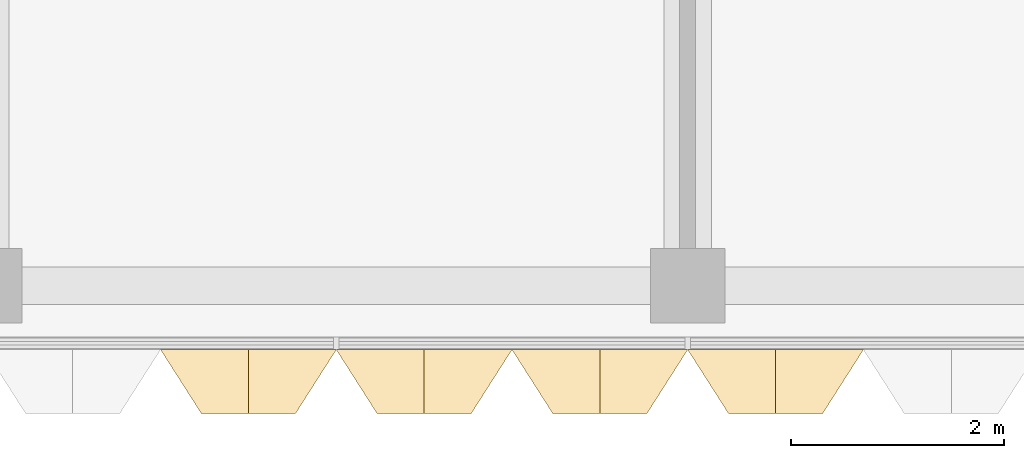
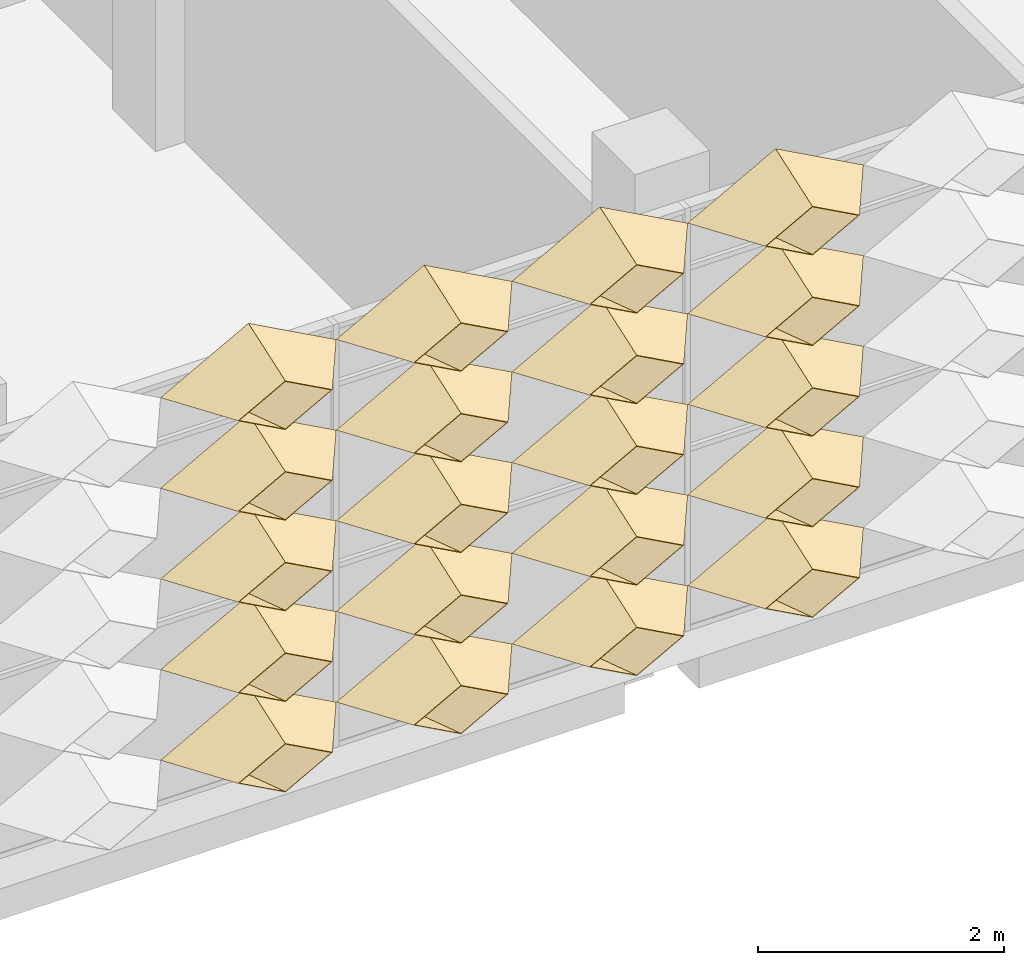
# One storey, part 15 of 28: 20 coverings.
"""IFC4 building model written with IfcOpenShell, lengths in metres."""

from ifc_helpers import new_model, entity, si_unit, direction, frame, origin, place, context, subcontext, project, spatial, material, layer, layer_set, type_object, element, save


model = new_model("IFC4")

# Units and contexts
model_context = context("Model", 3, precision=1e-05, world=origin(), true_north=direction((0.0, 1.0)))
body_context = subcontext(model_context, "Body", "Model", "MODEL_VIEW")
ifc_project = project(units=[si_unit("LENGTHUNIT", "METRE"), si_unit("AREAUNIT", "SQUARE_METRE"), si_unit("VOLUMEUNIT", "CUBIC_METRE"), si_unit("PLANEANGLEUNIT", "RADIAN"), si_unit("MASSUNIT", "GRAM", prefix="KILO")], contexts=[model_context])

# Site, building, storey
site_placement = place(None, origin())
site = spatial("IfcSite", under=ifc_project, at=site_placement, CompositionType="ELEMENT")
building_placement = place(site_placement, origin())
building = spatial("IfcBuilding", under=site, at=building_placement, Name="Lantern Court Research Institute", CompositionType="ELEMENT")
storey_placement = place(building_placement, frame((0.0, 0.0, 36.89990234375)))
storey = spatial("IfcBuildingStorey", under=building, at=storey_placement, Name="L08", CompositionType="ELEMENT", Elevation=36.89990234375)

# Coverings
ifc_material = material(Name="Anodised aluminium", Category="aluminium")
ifc_layer = layer(ifc_material, 0.01611328125)
ifc_layer_set = layer_set([ifc_layer], Name="Anodised aluminium")
covering_type = type_object("IfcCoveringType", Name="Fin cassette 1650 x 900 x 600 aluminium", PredefinedType="CLADDING", material=ifc_layer_set)
covering_1_placement = place(storey_placement, frame((68.47509765625, -8.39990234375, 0.4501953125), z_axis=(0.0, -1.0, 0.0), x_axis=(1.0, 0.0, 0.0)))
cartesian_point_1 = entity("IfcCartesianPoint", [0.824951171875, 0.0])
cartesian_point_2 = entity("IfcCartesianPoint", [0.79150390625, 0.0])
cartesian_point_3 = entity("IfcCartesianPoint", [0.44189453125, 0.0])
cartesian_point_4 = entity("IfcCartesianPoint", [0.43359375, 0.0])
element("IfcCovering", 1, at=covering_1_placement, inside=storey, type_object=covering_type, Name="Fin cassette V5S-L08 1.42", PredefinedType="CLADDING", context=body_context, shape_type="SweptSolid", body=[
    entity("IfcExtrudedAreaSolidTapered", entity("IfcArbitraryProfileDefWithVoids", "AREA", None, entity("IfcPolyline", [cartesian_point_1, entity("IfcCartesianPoint", [0.0, 0.449951171875]), entity("IfcCartesianPoint", [-0.824951171875, 0.0]), entity("IfcCartesianPoint", [0.0, -0.449951171875]), cartesian_point_1]), [entity("IfcPolyline", [cartesian_point_2, entity("IfcCartesianPoint", [0.0, 0.431884765625]), entity("IfcCartesianPoint", [-0.79150390625, 0.0]), entity("IfcCartesianPoint", [0.0, -0.431884765625]), cartesian_point_2])]), entity("IfcAxis2Placement3D", entity("IfcCartesianPoint", [0.0, 0.0, 0.0])), entity("IfcDirection", [0.0, 0.0, 1.0]), 0.60009765625, entity("IfcArbitraryProfileDefWithVoids", "AREA", None, entity("IfcPolyline", [cartesian_point_3, entity("IfcCartesianPoint", [0.0, 0.240966796875]), entity("IfcCartesianPoint", [-0.44189453125, 0.0]), entity("IfcCartesianPoint", [0.0, -0.240966796875]), cartesian_point_3]), [entity("IfcPolyline", [cartesian_point_4, entity("IfcCartesianPoint", [0.0, 0.236572265625]), entity("IfcCartesianPoint", [-0.43359375, 0.0]), entity("IfcCartesianPoint", [0.0, -0.236572265625]), cartesian_point_4])])),
])
covering_2_placement = place(storey_placement, frame((70.125, -8.39990234375, 0.4501953125), z_axis=(0.0, -1.0, 0.0), x_axis=(1.0, 0.0, 0.0)))
cartesian_point_5 = entity("IfcCartesianPoint", [0.824951171875, 0.0])
cartesian_point_6 = entity("IfcCartesianPoint", [0.79150390625, 0.0])
cartesian_point_7 = entity("IfcCartesianPoint", [0.44189453125, 0.0])
cartesian_point_8 = entity("IfcCartesianPoint", [0.43359375, 0.0])
element("IfcCovering", 2, at=covering_2_placement, inside=storey, type_object=covering_type, Name="Fin cassette V5S-L08 1.43", PredefinedType="CLADDING", context=body_context, shape_type="SweptSolid", body=[
    entity("IfcExtrudedAreaSolidTapered", entity("IfcArbitraryProfileDefWithVoids", "AREA", None, entity("IfcPolyline", [cartesian_point_5, entity("IfcCartesianPoint", [0.0, 0.449951171875]), entity("IfcCartesianPoint", [-0.824951171875, 0.0]), entity("IfcCartesianPoint", [0.0, -0.449951171875]), cartesian_point_5]), [entity("IfcPolyline", [cartesian_point_6, entity("IfcCartesianPoint", [0.0, 0.431884765625]), entity("IfcCartesianPoint", [-0.79150390625, 0.0]), entity("IfcCartesianPoint", [0.0, -0.431884765625]), cartesian_point_6])]), entity("IfcAxis2Placement3D", entity("IfcCartesianPoint", [0.0, 0.0, 0.0])), entity("IfcDirection", [0.0, 0.0, 1.0]), 0.60009765625, entity("IfcArbitraryProfileDefWithVoids", "AREA", None, entity("IfcPolyline", [cartesian_point_7, entity("IfcCartesianPoint", [0.0, 0.240966796875]), entity("IfcCartesianPoint", [-0.44189453125, 0.0]), entity("IfcCartesianPoint", [0.0, -0.240966796875]), cartesian_point_7]), [entity("IfcPolyline", [cartesian_point_8, entity("IfcCartesianPoint", [0.0, 0.236572265625]), entity("IfcCartesianPoint", [-0.43359375, 0.0]), entity("IfcCartesianPoint", [0.0, -0.236572265625]), cartesian_point_8])])),
])
covering_3_placement = place(storey_placement, frame((71.77490234375, -8.39990234375, 0.4501953125), z_axis=(0.0, -1.0, 0.0), x_axis=(1.0, 0.0, 0.0)))
cartesian_point_9 = entity("IfcCartesianPoint", [0.824951171875, 0.0])
cartesian_point_10 = entity("IfcCartesianPoint", [0.79150390625, 0.0])
cartesian_point_11 = entity("IfcCartesianPoint", [0.44189453125, 0.0])
cartesian_point_12 = entity("IfcCartesianPoint", [0.43359375, 0.0])
element("IfcCovering", 3, at=covering_3_placement, inside=storey, type_object=covering_type, Name="Fin cassette V5S-L08 1.44", PredefinedType="CLADDING", context=body_context, shape_type="SweptSolid", body=[
    entity("IfcExtrudedAreaSolidTapered", entity("IfcArbitraryProfileDefWithVoids", "AREA", None, entity("IfcPolyline", [cartesian_point_9, entity("IfcCartesianPoint", [0.0, 0.449951171875]), entity("IfcCartesianPoint", [-0.824951171875, 0.0]), entity("IfcCartesianPoint", [0.0, -0.449951171875]), cartesian_point_9]), [entity("IfcPolyline", [cartesian_point_10, entity("IfcCartesianPoint", [0.0, 0.431884765625]), entity("IfcCartesianPoint", [-0.79150390625, 0.0]), entity("IfcCartesianPoint", [0.0, -0.431884765625]), cartesian_point_10])]), entity("IfcAxis2Placement3D", entity("IfcCartesianPoint", [0.0, 0.0, 0.0])), entity("IfcDirection", [0.0, 0.0, 1.0]), 0.60009765625, entity("IfcArbitraryProfileDefWithVoids", "AREA", None, entity("IfcPolyline", [cartesian_point_11, entity("IfcCartesianPoint", [0.0, 0.240966796875]), entity("IfcCartesianPoint", [-0.44189453125, 0.0]), entity("IfcCartesianPoint", [0.0, -0.240966796875]), cartesian_point_11]), [entity("IfcPolyline", [cartesian_point_12, entity("IfcCartesianPoint", [0.0, 0.236572265625]), entity("IfcCartesianPoint", [-0.43359375, 0.0]), entity("IfcCartesianPoint", [0.0, -0.236572265625]), cartesian_point_12])])),
])
covering_4_placement = place(storey_placement, frame((73.425048828125, -8.39990234375, 0.4501953125), z_axis=(0.0, -1.0, 0.0), x_axis=(1.0, 0.0, 0.0)))
cartesian_point_13 = entity("IfcCartesianPoint", [0.824951171875, 0.0])
cartesian_point_14 = entity("IfcCartesianPoint", [0.79150390625, 0.0])
cartesian_point_15 = entity("IfcCartesianPoint", [0.44189453125, 0.0])
cartesian_point_16 = entity("IfcCartesianPoint", [0.43359375, 0.0])
element("IfcCovering", 4, at=covering_4_placement, inside=storey, type_object=covering_type, Name="Fin cassette V5S-L08 1.45", PredefinedType="CLADDING", context=body_context, shape_type="SweptSolid", body=[
    entity("IfcExtrudedAreaSolidTapered", entity("IfcArbitraryProfileDefWithVoids", "AREA", None, entity("IfcPolyline", [cartesian_point_13, entity("IfcCartesianPoint", [0.0, 0.449951171875]), entity("IfcCartesianPoint", [-0.824951171875, 0.0]), entity("IfcCartesianPoint", [0.0, -0.449951171875]), cartesian_point_13]), [entity("IfcPolyline", [cartesian_point_14, entity("IfcCartesianPoint", [0.0, 0.431884765625]), entity("IfcCartesianPoint", [-0.79150390625, 0.0]), entity("IfcCartesianPoint", [0.0, -0.431884765625]), cartesian_point_14])]), entity("IfcAxis2Placement3D", entity("IfcCartesianPoint", [0.0, 0.0, 0.0])), entity("IfcDirection", [0.0, 0.0, 1.0]), 0.60009765625, entity("IfcArbitraryProfileDefWithVoids", "AREA", None, entity("IfcPolyline", [cartesian_point_15, entity("IfcCartesianPoint", [0.0, 0.240966796875]), entity("IfcCartesianPoint", [-0.44189453125, 0.0]), entity("IfcCartesianPoint", [0.0, -0.240966796875]), cartesian_point_15]), [entity("IfcPolyline", [cartesian_point_16, entity("IfcCartesianPoint", [0.0, 0.236572265625]), entity("IfcCartesianPoint", [-0.43359375, 0.0]), entity("IfcCartesianPoint", [0.0, -0.236572265625]), cartesian_point_16])])),
])
covering_5_placement = place(storey_placement, frame((68.47509765625, -8.39990234375, 1.35009765625), z_axis=(0.0, -1.0, 0.0), x_axis=(1.0, 0.0, 0.0)))
cartesian_point_17 = entity("IfcCartesianPoint", [0.824951171875, 0.0])
cartesian_point_18 = entity("IfcCartesianPoint", [0.79150390625, 0.0])
cartesian_point_19 = entity("IfcCartesianPoint", [0.44189453125, 0.0])
cartesian_point_20 = entity("IfcCartesianPoint", [0.43359375, 0.0])
element("IfcCovering", 5, at=covering_5_placement, inside=storey, type_object=covering_type, Name="Fin cassette V5S-L08 2.42", PredefinedType="CLADDING", context=body_context, shape_type="SweptSolid", body=[
    entity("IfcExtrudedAreaSolidTapered", entity("IfcArbitraryProfileDefWithVoids", "AREA", None, entity("IfcPolyline", [cartesian_point_17, entity("IfcCartesianPoint", [0.0, 0.449951171875]), entity("IfcCartesianPoint", [-0.824951171875, 0.0]), entity("IfcCartesianPoint", [0.0, -0.449951171875]), cartesian_point_17]), [entity("IfcPolyline", [cartesian_point_18, entity("IfcCartesianPoint", [0.0, 0.431884765625]), entity("IfcCartesianPoint", [-0.79150390625, 0.0]), entity("IfcCartesianPoint", [0.0, -0.431884765625]), cartesian_point_18])]), entity("IfcAxis2Placement3D", entity("IfcCartesianPoint", [0.0, 0.0, 0.0])), entity("IfcDirection", [0.0, 0.0, 1.0]), 0.60009765625, entity("IfcArbitraryProfileDefWithVoids", "AREA", None, entity("IfcPolyline", [cartesian_point_19, entity("IfcCartesianPoint", [0.0, 0.240966796875]), entity("IfcCartesianPoint", [-0.44189453125, 0.0]), entity("IfcCartesianPoint", [0.0, -0.240966796875]), cartesian_point_19]), [entity("IfcPolyline", [cartesian_point_20, entity("IfcCartesianPoint", [0.0, 0.236572265625]), entity("IfcCartesianPoint", [-0.43359375, 0.0]), entity("IfcCartesianPoint", [0.0, -0.236572265625]), cartesian_point_20])])),
])
covering_6_placement = place(storey_placement, frame((70.125, -8.39990234375, 1.35009765625), z_axis=(0.0, -1.0, 0.0), x_axis=(1.0, 0.0, 0.0)))
cartesian_point_21 = entity("IfcCartesianPoint", [0.824951171875, 0.0])
cartesian_point_22 = entity("IfcCartesianPoint", [0.79150390625, 0.0])
cartesian_point_23 = entity("IfcCartesianPoint", [0.44189453125, 0.0])
cartesian_point_24 = entity("IfcCartesianPoint", [0.43359375, 0.0])
element("IfcCovering", 6, at=covering_6_placement, inside=storey, type_object=covering_type, Name="Fin cassette V5S-L08 2.43", PredefinedType="CLADDING", context=body_context, shape_type="SweptSolid", body=[
    entity("IfcExtrudedAreaSolidTapered", entity("IfcArbitraryProfileDefWithVoids", "AREA", None, entity("IfcPolyline", [cartesian_point_21, entity("IfcCartesianPoint", [0.0, 0.449951171875]), entity("IfcCartesianPoint", [-0.824951171875, 0.0]), entity("IfcCartesianPoint", [0.0, -0.449951171875]), cartesian_point_21]), [entity("IfcPolyline", [cartesian_point_22, entity("IfcCartesianPoint", [0.0, 0.431884765625]), entity("IfcCartesianPoint", [-0.79150390625, 0.0]), entity("IfcCartesianPoint", [0.0, -0.431884765625]), cartesian_point_22])]), entity("IfcAxis2Placement3D", entity("IfcCartesianPoint", [0.0, 0.0, 0.0])), entity("IfcDirection", [0.0, 0.0, 1.0]), 0.60009765625, entity("IfcArbitraryProfileDefWithVoids", "AREA", None, entity("IfcPolyline", [cartesian_point_23, entity("IfcCartesianPoint", [0.0, 0.240966796875]), entity("IfcCartesianPoint", [-0.44189453125, 0.0]), entity("IfcCartesianPoint", [0.0, -0.240966796875]), cartesian_point_23]), [entity("IfcPolyline", [cartesian_point_24, entity("IfcCartesianPoint", [0.0, 0.236572265625]), entity("IfcCartesianPoint", [-0.43359375, 0.0]), entity("IfcCartesianPoint", [0.0, -0.236572265625]), cartesian_point_24])])),
])
covering_7_placement = place(storey_placement, frame((71.77490234375, -8.39990234375, 1.35009765625), z_axis=(0.0, -1.0, 0.0), x_axis=(1.0, 0.0, 0.0)))
cartesian_point_25 = entity("IfcCartesianPoint", [0.824951171875, 0.0])
cartesian_point_26 = entity("IfcCartesianPoint", [0.79150390625, 0.0])
cartesian_point_27 = entity("IfcCartesianPoint", [0.44189453125, 0.0])
cartesian_point_28 = entity("IfcCartesianPoint", [0.43359375, 0.0])
element("IfcCovering", 7, at=covering_7_placement, inside=storey, type_object=covering_type, Name="Fin cassette V5S-L08 2.44", PredefinedType="CLADDING", context=body_context, shape_type="SweptSolid", body=[
    entity("IfcExtrudedAreaSolidTapered", entity("IfcArbitraryProfileDefWithVoids", "AREA", None, entity("IfcPolyline", [cartesian_point_25, entity("IfcCartesianPoint", [0.0, 0.449951171875]), entity("IfcCartesianPoint", [-0.824951171875, 0.0]), entity("IfcCartesianPoint", [0.0, -0.449951171875]), cartesian_point_25]), [entity("IfcPolyline", [cartesian_point_26, entity("IfcCartesianPoint", [0.0, 0.431884765625]), entity("IfcCartesianPoint", [-0.79150390625, 0.0]), entity("IfcCartesianPoint", [0.0, -0.431884765625]), cartesian_point_26])]), entity("IfcAxis2Placement3D", entity("IfcCartesianPoint", [0.0, 0.0, 0.0])), entity("IfcDirection", [0.0, 0.0, 1.0]), 0.60009765625, entity("IfcArbitraryProfileDefWithVoids", "AREA", None, entity("IfcPolyline", [cartesian_point_27, entity("IfcCartesianPoint", [0.0, 0.240966796875]), entity("IfcCartesianPoint", [-0.44189453125, 0.0]), entity("IfcCartesianPoint", [0.0, -0.240966796875]), cartesian_point_27]), [entity("IfcPolyline", [cartesian_point_28, entity("IfcCartesianPoint", [0.0, 0.236572265625]), entity("IfcCartesianPoint", [-0.43359375, 0.0]), entity("IfcCartesianPoint", [0.0, -0.236572265625]), cartesian_point_28])])),
])
covering_8_placement = place(storey_placement, frame((73.425048828125, -8.39990234375, 1.35009765625), z_axis=(0.0, -1.0, 0.0), x_axis=(1.0, 0.0, 0.0)))
cartesian_point_29 = entity("IfcCartesianPoint", [0.824951171875, 0.0])
cartesian_point_30 = entity("IfcCartesianPoint", [0.79150390625, 0.0])
cartesian_point_31 = entity("IfcCartesianPoint", [0.44189453125, 0.0])
cartesian_point_32 = entity("IfcCartesianPoint", [0.43359375, 0.0])
element("IfcCovering", 8, at=covering_8_placement, inside=storey, type_object=covering_type, Name="Fin cassette V5S-L08 2.45", PredefinedType="CLADDING", context=body_context, shape_type="SweptSolid", body=[
    entity("IfcExtrudedAreaSolidTapered", entity("IfcArbitraryProfileDefWithVoids", "AREA", None, entity("IfcPolyline", [cartesian_point_29, entity("IfcCartesianPoint", [0.0, 0.449951171875]), entity("IfcCartesianPoint", [-0.824951171875, 0.0]), entity("IfcCartesianPoint", [0.0, -0.449951171875]), cartesian_point_29]), [entity("IfcPolyline", [cartesian_point_30, entity("IfcCartesianPoint", [0.0, 0.431884765625]), entity("IfcCartesianPoint", [-0.79150390625, 0.0]), entity("IfcCartesianPoint", [0.0, -0.431884765625]), cartesian_point_30])]), entity("IfcAxis2Placement3D", entity("IfcCartesianPoint", [0.0, 0.0, 0.0])), entity("IfcDirection", [0.0, 0.0, 1.0]), 0.60009765625, entity("IfcArbitraryProfileDefWithVoids", "AREA", None, entity("IfcPolyline", [cartesian_point_31, entity("IfcCartesianPoint", [0.0, 0.240966796875]), entity("IfcCartesianPoint", [-0.44189453125, 0.0]), entity("IfcCartesianPoint", [0.0, -0.240966796875]), cartesian_point_31]), [entity("IfcPolyline", [cartesian_point_32, entity("IfcCartesianPoint", [0.0, 0.236572265625]), entity("IfcCartesianPoint", [-0.43359375, 0.0]), entity("IfcCartesianPoint", [0.0, -0.236572265625]), cartesian_point_32])])),
])
covering_9_placement = place(storey_placement, frame((68.47509765625, -8.39990234375, 2.25), z_axis=(0.0, -1.0, 0.0), x_axis=(1.0, 0.0, 0.0)))
cartesian_point_33 = entity("IfcCartesianPoint", [0.824951171875, 0.0])
cartesian_point_34 = entity("IfcCartesianPoint", [0.79150390625, 0.0])
cartesian_point_35 = entity("IfcCartesianPoint", [0.44189453125, 0.0])
cartesian_point_36 = entity("IfcCartesianPoint", [0.43359375, 0.0])
element("IfcCovering", 9, at=covering_9_placement, inside=storey, type_object=covering_type, Name="Fin cassette V5S-L08 3.42", PredefinedType="CLADDING", context=body_context, shape_type="SweptSolid", body=[
    entity("IfcExtrudedAreaSolidTapered", entity("IfcArbitraryProfileDefWithVoids", "AREA", None, entity("IfcPolyline", [cartesian_point_33, entity("IfcCartesianPoint", [0.0, 0.449951171875]), entity("IfcCartesianPoint", [-0.824951171875, 0.0]), entity("IfcCartesianPoint", [0.0, -0.449951171875]), cartesian_point_33]), [entity("IfcPolyline", [cartesian_point_34, entity("IfcCartesianPoint", [0.0, 0.431884765625]), entity("IfcCartesianPoint", [-0.79150390625, 0.0]), entity("IfcCartesianPoint", [0.0, -0.431884765625]), cartesian_point_34])]), entity("IfcAxis2Placement3D", entity("IfcCartesianPoint", [0.0, 0.0, 0.0])), entity("IfcDirection", [0.0, 0.0, 1.0]), 0.60009765625, entity("IfcArbitraryProfileDefWithVoids", "AREA", None, entity("IfcPolyline", [cartesian_point_35, entity("IfcCartesianPoint", [0.0, 0.240966796875]), entity("IfcCartesianPoint", [-0.44189453125, 0.0]), entity("IfcCartesianPoint", [0.0, -0.240966796875]), cartesian_point_35]), [entity("IfcPolyline", [cartesian_point_36, entity("IfcCartesianPoint", [0.0, 0.236572265625]), entity("IfcCartesianPoint", [-0.43359375, 0.0]), entity("IfcCartesianPoint", [0.0, -0.236572265625]), cartesian_point_36])])),
])
covering_10_placement = place(storey_placement, frame((70.125, -8.39990234375, 2.25), z_axis=(0.0, -1.0, 0.0), x_axis=(1.0, 0.0, 0.0)))
cartesian_point_37 = entity("IfcCartesianPoint", [0.824951171875, 0.0])
cartesian_point_38 = entity("IfcCartesianPoint", [0.79150390625, 0.0])
cartesian_point_39 = entity("IfcCartesianPoint", [0.44189453125, 0.0])
cartesian_point_40 = entity("IfcCartesianPoint", [0.43359375, 0.0])
element("IfcCovering", 10, at=covering_10_placement, inside=storey, type_object=covering_type, Name="Fin cassette V5S-L08 3.43", PredefinedType="CLADDING", context=body_context, shape_type="SweptSolid", body=[
    entity("IfcExtrudedAreaSolidTapered", entity("IfcArbitraryProfileDefWithVoids", "AREA", None, entity("IfcPolyline", [cartesian_point_37, entity("IfcCartesianPoint", [0.0, 0.449951171875]), entity("IfcCartesianPoint", [-0.824951171875, 0.0]), entity("IfcCartesianPoint", [0.0, -0.449951171875]), cartesian_point_37]), [entity("IfcPolyline", [cartesian_point_38, entity("IfcCartesianPoint", [0.0, 0.431884765625]), entity("IfcCartesianPoint", [-0.79150390625, 0.0]), entity("IfcCartesianPoint", [0.0, -0.431884765625]), cartesian_point_38])]), entity("IfcAxis2Placement3D", entity("IfcCartesianPoint", [0.0, 0.0, 0.0])), entity("IfcDirection", [0.0, 0.0, 1.0]), 0.60009765625, entity("IfcArbitraryProfileDefWithVoids", "AREA", None, entity("IfcPolyline", [cartesian_point_39, entity("IfcCartesianPoint", [0.0, 0.240966796875]), entity("IfcCartesianPoint", [-0.44189453125, 0.0]), entity("IfcCartesianPoint", [0.0, -0.240966796875]), cartesian_point_39]), [entity("IfcPolyline", [cartesian_point_40, entity("IfcCartesianPoint", [0.0, 0.236572265625]), entity("IfcCartesianPoint", [-0.43359375, 0.0]), entity("IfcCartesianPoint", [0.0, -0.236572265625]), cartesian_point_40])])),
])
covering_11_placement = place(storey_placement, frame((71.77490234375, -8.39990234375, 2.25), z_axis=(0.0, -1.0, 0.0), x_axis=(1.0, 0.0, 0.0)))
cartesian_point_41 = entity("IfcCartesianPoint", [0.824951171875, 0.0])
cartesian_point_42 = entity("IfcCartesianPoint", [0.79150390625, 0.0])
cartesian_point_43 = entity("IfcCartesianPoint", [0.44189453125, 0.0])
cartesian_point_44 = entity("IfcCartesianPoint", [0.43359375, 0.0])
element("IfcCovering", 11, at=covering_11_placement, inside=storey, type_object=covering_type, Name="Fin cassette V5S-L08 3.44", PredefinedType="CLADDING", context=body_context, shape_type="SweptSolid", body=[
    entity("IfcExtrudedAreaSolidTapered", entity("IfcArbitraryProfileDefWithVoids", "AREA", None, entity("IfcPolyline", [cartesian_point_41, entity("IfcCartesianPoint", [0.0, 0.449951171875]), entity("IfcCartesianPoint", [-0.824951171875, 0.0]), entity("IfcCartesianPoint", [0.0, -0.449951171875]), cartesian_point_41]), [entity("IfcPolyline", [cartesian_point_42, entity("IfcCartesianPoint", [0.0, 0.431884765625]), entity("IfcCartesianPoint", [-0.79150390625, 0.0]), entity("IfcCartesianPoint", [0.0, -0.431884765625]), cartesian_point_42])]), entity("IfcAxis2Placement3D", entity("IfcCartesianPoint", [0.0, 0.0, 0.0])), entity("IfcDirection", [0.0, 0.0, 1.0]), 0.60009765625, entity("IfcArbitraryProfileDefWithVoids", "AREA", None, entity("IfcPolyline", [cartesian_point_43, entity("IfcCartesianPoint", [0.0, 0.240966796875]), entity("IfcCartesianPoint", [-0.44189453125, 0.0]), entity("IfcCartesianPoint", [0.0, -0.240966796875]), cartesian_point_43]), [entity("IfcPolyline", [cartesian_point_44, entity("IfcCartesianPoint", [0.0, 0.236572265625]), entity("IfcCartesianPoint", [-0.43359375, 0.0]), entity("IfcCartesianPoint", [0.0, -0.236572265625]), cartesian_point_44])])),
])
covering_12_placement = place(storey_placement, frame((73.425048828125, -8.39990234375, 2.25), z_axis=(0.0, -1.0, 0.0), x_axis=(1.0, 0.0, 0.0)))
cartesian_point_45 = entity("IfcCartesianPoint", [0.824951171875, 0.0])
cartesian_point_46 = entity("IfcCartesianPoint", [0.79150390625, 0.0])
cartesian_point_47 = entity("IfcCartesianPoint", [0.44189453125, 0.0])
cartesian_point_48 = entity("IfcCartesianPoint", [0.43359375, 0.0])
element("IfcCovering", 12, at=covering_12_placement, inside=storey, type_object=covering_type, Name="Fin cassette V5S-L08 3.45", PredefinedType="CLADDING", context=body_context, shape_type="SweptSolid", body=[
    entity("IfcExtrudedAreaSolidTapered", entity("IfcArbitraryProfileDefWithVoids", "AREA", None, entity("IfcPolyline", [cartesian_point_45, entity("IfcCartesianPoint", [0.0, 0.449951171875]), entity("IfcCartesianPoint", [-0.824951171875, 0.0]), entity("IfcCartesianPoint", [0.0, -0.449951171875]), cartesian_point_45]), [entity("IfcPolyline", [cartesian_point_46, entity("IfcCartesianPoint", [0.0, 0.431884765625]), entity("IfcCartesianPoint", [-0.79150390625, 0.0]), entity("IfcCartesianPoint", [0.0, -0.431884765625]), cartesian_point_46])]), entity("IfcAxis2Placement3D", entity("IfcCartesianPoint", [0.0, 0.0, 0.0])), entity("IfcDirection", [0.0, 0.0, 1.0]), 0.60009765625, entity("IfcArbitraryProfileDefWithVoids", "AREA", None, entity("IfcPolyline", [cartesian_point_47, entity("IfcCartesianPoint", [0.0, 0.240966796875]), entity("IfcCartesianPoint", [-0.44189453125, 0.0]), entity("IfcCartesianPoint", [0.0, -0.240966796875]), cartesian_point_47]), [entity("IfcPolyline", [cartesian_point_48, entity("IfcCartesianPoint", [0.0, 0.236572265625]), entity("IfcCartesianPoint", [-0.43359375, 0.0]), entity("IfcCartesianPoint", [0.0, -0.236572265625]), cartesian_point_48])])),
])
covering_13_placement = place(storey_placement, frame((68.47509765625, -8.39990234375, 3.150146484375), z_axis=(0.0, -1.0, 0.0), x_axis=(1.0, 0.0, 0.0)))
cartesian_point_49 = entity("IfcCartesianPoint", [0.824951171875, 0.0])
cartesian_point_50 = entity("IfcCartesianPoint", [0.79150390625, 0.0])
cartesian_point_51 = entity("IfcCartesianPoint", [0.44189453125, 0.0])
cartesian_point_52 = entity("IfcCartesianPoint", [0.43359375, 0.0])
element("IfcCovering", 13, at=covering_13_placement, inside=storey, type_object=covering_type, Name="Fin cassette V5S-L08 4.42", PredefinedType="CLADDING", context=body_context, shape_type="SweptSolid", body=[
    entity("IfcExtrudedAreaSolidTapered", entity("IfcArbitraryProfileDefWithVoids", "AREA", None, entity("IfcPolyline", [cartesian_point_49, entity("IfcCartesianPoint", [0.0, 0.449951171875]), entity("IfcCartesianPoint", [-0.824951171875, 0.0]), entity("IfcCartesianPoint", [0.0, -0.449951171875]), cartesian_point_49]), [entity("IfcPolyline", [cartesian_point_50, entity("IfcCartesianPoint", [0.0, 0.431884765625]), entity("IfcCartesianPoint", [-0.79150390625, 0.0]), entity("IfcCartesianPoint", [0.0, -0.431884765625]), cartesian_point_50])]), entity("IfcAxis2Placement3D", entity("IfcCartesianPoint", [0.0, 0.0, 0.0])), entity("IfcDirection", [0.0, 0.0, 1.0]), 0.60009765625, entity("IfcArbitraryProfileDefWithVoids", "AREA", None, entity("IfcPolyline", [cartesian_point_51, entity("IfcCartesianPoint", [0.0, 0.240966796875]), entity("IfcCartesianPoint", [-0.44189453125, 0.0]), entity("IfcCartesianPoint", [0.0, -0.240966796875]), cartesian_point_51]), [entity("IfcPolyline", [cartesian_point_52, entity("IfcCartesianPoint", [0.0, 0.236572265625]), entity("IfcCartesianPoint", [-0.43359375, 0.0]), entity("IfcCartesianPoint", [0.0, -0.236572265625]), cartesian_point_52])])),
])
covering_14_placement = place(storey_placement, frame((70.125, -8.39990234375, 3.150146484375), z_axis=(0.0, -1.0, 0.0), x_axis=(1.0, 0.0, 0.0)))
cartesian_point_53 = entity("IfcCartesianPoint", [0.824951171875, 0.0])
cartesian_point_54 = entity("IfcCartesianPoint", [0.79150390625, 0.0])
cartesian_point_55 = entity("IfcCartesianPoint", [0.44189453125, 0.0])
cartesian_point_56 = entity("IfcCartesianPoint", [0.43359375, 0.0])
element("IfcCovering", 14, at=covering_14_placement, inside=storey, type_object=covering_type, Name="Fin cassette V5S-L08 4.43", PredefinedType="CLADDING", context=body_context, shape_type="SweptSolid", body=[
    entity("IfcExtrudedAreaSolidTapered", entity("IfcArbitraryProfileDefWithVoids", "AREA", None, entity("IfcPolyline", [cartesian_point_53, entity("IfcCartesianPoint", [0.0, 0.449951171875]), entity("IfcCartesianPoint", [-0.824951171875, 0.0]), entity("IfcCartesianPoint", [0.0, -0.449951171875]), cartesian_point_53]), [entity("IfcPolyline", [cartesian_point_54, entity("IfcCartesianPoint", [0.0, 0.431884765625]), entity("IfcCartesianPoint", [-0.79150390625, 0.0]), entity("IfcCartesianPoint", [0.0, -0.431884765625]), cartesian_point_54])]), entity("IfcAxis2Placement3D", entity("IfcCartesianPoint", [0.0, 0.0, 0.0])), entity("IfcDirection", [0.0, 0.0, 1.0]), 0.60009765625, entity("IfcArbitraryProfileDefWithVoids", "AREA", None, entity("IfcPolyline", [cartesian_point_55, entity("IfcCartesianPoint", [0.0, 0.240966796875]), entity("IfcCartesianPoint", [-0.44189453125, 0.0]), entity("IfcCartesianPoint", [0.0, -0.240966796875]), cartesian_point_55]), [entity("IfcPolyline", [cartesian_point_56, entity("IfcCartesianPoint", [0.0, 0.236572265625]), entity("IfcCartesianPoint", [-0.43359375, 0.0]), entity("IfcCartesianPoint", [0.0, -0.236572265625]), cartesian_point_56])])),
])
covering_15_placement = place(storey_placement, frame((71.77490234375, -8.39990234375, 3.150146484375), z_axis=(0.0, -1.0, 0.0), x_axis=(1.0, 0.0, 0.0)))
cartesian_point_57 = entity("IfcCartesianPoint", [0.824951171875, 0.0])
cartesian_point_58 = entity("IfcCartesianPoint", [0.79150390625, 0.0])
cartesian_point_59 = entity("IfcCartesianPoint", [0.44189453125, 0.0])
cartesian_point_60 = entity("IfcCartesianPoint", [0.43359375, 0.0])
element("IfcCovering", 15, at=covering_15_placement, inside=storey, type_object=covering_type, Name="Fin cassette V5S-L08 4.44", PredefinedType="CLADDING", context=body_context, shape_type="SweptSolid", body=[
    entity("IfcExtrudedAreaSolidTapered", entity("IfcArbitraryProfileDefWithVoids", "AREA", None, entity("IfcPolyline", [cartesian_point_57, entity("IfcCartesianPoint", [0.0, 0.449951171875]), entity("IfcCartesianPoint", [-0.824951171875, 0.0]), entity("IfcCartesianPoint", [0.0, -0.449951171875]), cartesian_point_57]), [entity("IfcPolyline", [cartesian_point_58, entity("IfcCartesianPoint", [0.0, 0.431884765625]), entity("IfcCartesianPoint", [-0.79150390625, 0.0]), entity("IfcCartesianPoint", [0.0, -0.431884765625]), cartesian_point_58])]), entity("IfcAxis2Placement3D", entity("IfcCartesianPoint", [0.0, 0.0, 0.0])), entity("IfcDirection", [0.0, 0.0, 1.0]), 0.60009765625, entity("IfcArbitraryProfileDefWithVoids", "AREA", None, entity("IfcPolyline", [cartesian_point_59, entity("IfcCartesianPoint", [0.0, 0.240966796875]), entity("IfcCartesianPoint", [-0.44189453125, 0.0]), entity("IfcCartesianPoint", [0.0, -0.240966796875]), cartesian_point_59]), [entity("IfcPolyline", [cartesian_point_60, entity("IfcCartesianPoint", [0.0, 0.236572265625]), entity("IfcCartesianPoint", [-0.43359375, 0.0]), entity("IfcCartesianPoint", [0.0, -0.236572265625]), cartesian_point_60])])),
])
covering_16_placement = place(storey_placement, frame((73.425048828125, -8.39990234375, 3.150146484375), z_axis=(0.0, -1.0, 0.0), x_axis=(1.0, 0.0, 0.0)))
cartesian_point_61 = entity("IfcCartesianPoint", [0.824951171875, 0.0])
cartesian_point_62 = entity("IfcCartesianPoint", [0.79150390625, 0.0])
cartesian_point_63 = entity("IfcCartesianPoint", [0.44189453125, 0.0])
cartesian_point_64 = entity("IfcCartesianPoint", [0.43359375, 0.0])
element("IfcCovering", 16, at=covering_16_placement, inside=storey, type_object=covering_type, Name="Fin cassette V5S-L08 4.45", PredefinedType="CLADDING", context=body_context, shape_type="SweptSolid", body=[
    entity("IfcExtrudedAreaSolidTapered", entity("IfcArbitraryProfileDefWithVoids", "AREA", None, entity("IfcPolyline", [cartesian_point_61, entity("IfcCartesianPoint", [0.0, 0.449951171875]), entity("IfcCartesianPoint", [-0.824951171875, 0.0]), entity("IfcCartesianPoint", [0.0, -0.449951171875]), cartesian_point_61]), [entity("IfcPolyline", [cartesian_point_62, entity("IfcCartesianPoint", [0.0, 0.431884765625]), entity("IfcCartesianPoint", [-0.79150390625, 0.0]), entity("IfcCartesianPoint", [0.0, -0.431884765625]), cartesian_point_62])]), entity("IfcAxis2Placement3D", entity("IfcCartesianPoint", [0.0, 0.0, 0.0])), entity("IfcDirection", [0.0, 0.0, 1.0]), 0.60009765625, entity("IfcArbitraryProfileDefWithVoids", "AREA", None, entity("IfcPolyline", [cartesian_point_63, entity("IfcCartesianPoint", [0.0, 0.240966796875]), entity("IfcCartesianPoint", [-0.44189453125, 0.0]), entity("IfcCartesianPoint", [0.0, -0.240966796875]), cartesian_point_63]), [entity("IfcPolyline", [cartesian_point_64, entity("IfcCartesianPoint", [0.0, 0.236572265625]), entity("IfcCartesianPoint", [-0.43359375, 0.0]), entity("IfcCartesianPoint", [0.0, -0.236572265625]), cartesian_point_64])])),
])
covering_17_placement = place(storey_placement, frame((68.47509765625, -8.39990234375, 4.050048828125), z_axis=(0.0, -1.0, 0.0), x_axis=(1.0, 0.0, 0.0)))
cartesian_point_65 = entity("IfcCartesianPoint", [0.824951171875, 0.0])
cartesian_point_66 = entity("IfcCartesianPoint", [0.79150390625, 0.0])
cartesian_point_67 = entity("IfcCartesianPoint", [0.44189453125, 0.0])
cartesian_point_68 = entity("IfcCartesianPoint", [0.43359375, 0.0])
element("IfcCovering", 17, at=covering_17_placement, inside=storey, type_object=covering_type, Name="Fin cassette V5S-L08 5.42", PredefinedType="CLADDING", context=body_context, shape_type="SweptSolid", body=[
    entity("IfcExtrudedAreaSolidTapered", entity("IfcArbitraryProfileDefWithVoids", "AREA", None, entity("IfcPolyline", [cartesian_point_65, entity("IfcCartesianPoint", [0.0, 0.449951171875]), entity("IfcCartesianPoint", [-0.824951171875, 0.0]), entity("IfcCartesianPoint", [0.0, -0.449951171875]), cartesian_point_65]), [entity("IfcPolyline", [cartesian_point_66, entity("IfcCartesianPoint", [0.0, 0.431884765625]), entity("IfcCartesianPoint", [-0.79150390625, 0.0]), entity("IfcCartesianPoint", [0.0, -0.431884765625]), cartesian_point_66])]), entity("IfcAxis2Placement3D", entity("IfcCartesianPoint", [0.0, 0.0, 0.0])), entity("IfcDirection", [0.0, 0.0, 1.0]), 0.60009765625, entity("IfcArbitraryProfileDefWithVoids", "AREA", None, entity("IfcPolyline", [cartesian_point_67, entity("IfcCartesianPoint", [0.0, 0.240966796875]), entity("IfcCartesianPoint", [-0.44189453125, 0.0]), entity("IfcCartesianPoint", [0.0, -0.240966796875]), cartesian_point_67]), [entity("IfcPolyline", [cartesian_point_68, entity("IfcCartesianPoint", [0.0, 0.236572265625]), entity("IfcCartesianPoint", [-0.43359375, 0.0]), entity("IfcCartesianPoint", [0.0, -0.236572265625]), cartesian_point_68])])),
])
covering_18_placement = place(storey_placement, frame((70.125, -8.39990234375, 4.050048828125), z_axis=(0.0, -1.0, 0.0), x_axis=(1.0, 0.0, 0.0)))
cartesian_point_69 = entity("IfcCartesianPoint", [0.824951171875, 0.0])
cartesian_point_70 = entity("IfcCartesianPoint", [0.79150390625, 0.0])
cartesian_point_71 = entity("IfcCartesianPoint", [0.44189453125, 0.0])
cartesian_point_72 = entity("IfcCartesianPoint", [0.43359375, 0.0])
element("IfcCovering", 18, at=covering_18_placement, inside=storey, type_object=covering_type, Name="Fin cassette V5S-L08 5.43", PredefinedType="CLADDING", context=body_context, shape_type="SweptSolid", body=[
    entity("IfcExtrudedAreaSolidTapered", entity("IfcArbitraryProfileDefWithVoids", "AREA", None, entity("IfcPolyline", [cartesian_point_69, entity("IfcCartesianPoint", [0.0, 0.449951171875]), entity("IfcCartesianPoint", [-0.824951171875, 0.0]), entity("IfcCartesianPoint", [0.0, -0.449951171875]), cartesian_point_69]), [entity("IfcPolyline", [cartesian_point_70, entity("IfcCartesianPoint", [0.0, 0.431884765625]), entity("IfcCartesianPoint", [-0.79150390625, 0.0]), entity("IfcCartesianPoint", [0.0, -0.431884765625]), cartesian_point_70])]), entity("IfcAxis2Placement3D", entity("IfcCartesianPoint", [0.0, 0.0, 0.0])), entity("IfcDirection", [0.0, 0.0, 1.0]), 0.60009765625, entity("IfcArbitraryProfileDefWithVoids", "AREA", None, entity("IfcPolyline", [cartesian_point_71, entity("IfcCartesianPoint", [0.0, 0.240966796875]), entity("IfcCartesianPoint", [-0.44189453125, 0.0]), entity("IfcCartesianPoint", [0.0, -0.240966796875]), cartesian_point_71]), [entity("IfcPolyline", [cartesian_point_72, entity("IfcCartesianPoint", [0.0, 0.236572265625]), entity("IfcCartesianPoint", [-0.43359375, 0.0]), entity("IfcCartesianPoint", [0.0, -0.236572265625]), cartesian_point_72])])),
])
covering_19_placement = place(storey_placement, frame((71.77490234375, -8.39990234375, 4.050048828125), z_axis=(0.0, -1.0, 0.0), x_axis=(1.0, 0.0, 0.0)))
cartesian_point_73 = entity("IfcCartesianPoint", [0.824951171875, 0.0])
cartesian_point_74 = entity("IfcCartesianPoint", [0.79150390625, 0.0])
cartesian_point_75 = entity("IfcCartesianPoint", [0.44189453125, 0.0])
cartesian_point_76 = entity("IfcCartesianPoint", [0.43359375, 0.0])
element("IfcCovering", 19, at=covering_19_placement, inside=storey, type_object=covering_type, Name="Fin cassette V5S-L08 5.44", PredefinedType="CLADDING", context=body_context, shape_type="SweptSolid", body=[
    entity("IfcExtrudedAreaSolidTapered", entity("IfcArbitraryProfileDefWithVoids", "AREA", None, entity("IfcPolyline", [cartesian_point_73, entity("IfcCartesianPoint", [0.0, 0.449951171875]), entity("IfcCartesianPoint", [-0.824951171875, 0.0]), entity("IfcCartesianPoint", [0.0, -0.449951171875]), cartesian_point_73]), [entity("IfcPolyline", [cartesian_point_74, entity("IfcCartesianPoint", [0.0, 0.431884765625]), entity("IfcCartesianPoint", [-0.79150390625, 0.0]), entity("IfcCartesianPoint", [0.0, -0.431884765625]), cartesian_point_74])]), entity("IfcAxis2Placement3D", entity("IfcCartesianPoint", [0.0, 0.0, 0.0])), entity("IfcDirection", [0.0, 0.0, 1.0]), 0.60009765625, entity("IfcArbitraryProfileDefWithVoids", "AREA", None, entity("IfcPolyline", [cartesian_point_75, entity("IfcCartesianPoint", [0.0, 0.240966796875]), entity("IfcCartesianPoint", [-0.44189453125, 0.0]), entity("IfcCartesianPoint", [0.0, -0.240966796875]), cartesian_point_75]), [entity("IfcPolyline", [cartesian_point_76, entity("IfcCartesianPoint", [0.0, 0.236572265625]), entity("IfcCartesianPoint", [-0.43359375, 0.0]), entity("IfcCartesianPoint", [0.0, -0.236572265625]), cartesian_point_76])])),
])
covering_20_placement = place(storey_placement, frame((73.425048828125, -8.39990234375, 4.050048828125), z_axis=(0.0, -1.0, 0.0), x_axis=(1.0, 0.0, 0.0)))
cartesian_point_77 = entity("IfcCartesianPoint", [0.824951171875, 0.0])
cartesian_point_78 = entity("IfcCartesianPoint", [0.79150390625, 0.0])
cartesian_point_79 = entity("IfcCartesianPoint", [0.44189453125, 0.0])
cartesian_point_80 = entity("IfcCartesianPoint", [0.43359375, 0.0])
element("IfcCovering", 20, at=covering_20_placement, inside=storey, type_object=covering_type, Name="Fin cassette V5S-L08 5.45", PredefinedType="CLADDING", context=body_context, shape_type="SweptSolid", body=[
    entity("IfcExtrudedAreaSolidTapered", entity("IfcArbitraryProfileDefWithVoids", "AREA", None, entity("IfcPolyline", [cartesian_point_77, entity("IfcCartesianPoint", [0.0, 0.449951171875]), entity("IfcCartesianPoint", [-0.824951171875, 0.0]), entity("IfcCartesianPoint", [0.0, -0.449951171875]), cartesian_point_77]), [entity("IfcPolyline", [cartesian_point_78, entity("IfcCartesianPoint", [0.0, 0.431884765625]), entity("IfcCartesianPoint", [-0.79150390625, 0.0]), entity("IfcCartesianPoint", [0.0, -0.431884765625]), cartesian_point_78])]), entity("IfcAxis2Placement3D", entity("IfcCartesianPoint", [0.0, 0.0, 0.0])), entity("IfcDirection", [0.0, 0.0, 1.0]), 0.60009765625, entity("IfcArbitraryProfileDefWithVoids", "AREA", None, entity("IfcPolyline", [cartesian_point_79, entity("IfcCartesianPoint", [0.0, 0.240966796875]), entity("IfcCartesianPoint", [-0.44189453125, 0.0]), entity("IfcCartesianPoint", [0.0, -0.240966796875]), cartesian_point_79]), [entity("IfcPolyline", [cartesian_point_80, entity("IfcCartesianPoint", [0.0, 0.236572265625]), entity("IfcCartesianPoint", [-0.43359375, 0.0]), entity("IfcCartesianPoint", [0.0, -0.236572265625]), cartesian_point_80])])),
])

save(model, "model.ifc")
